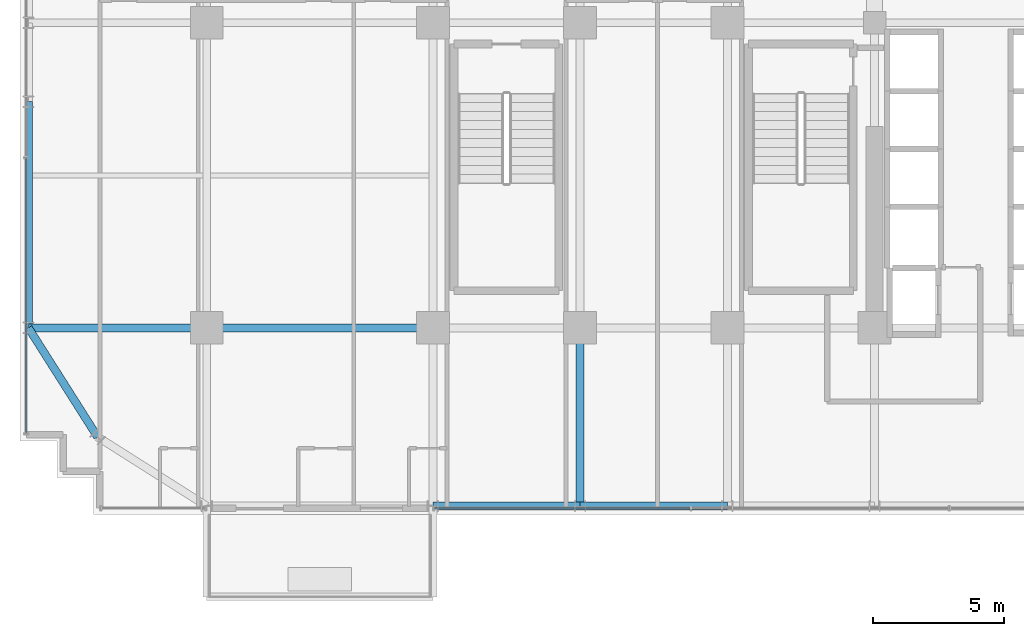
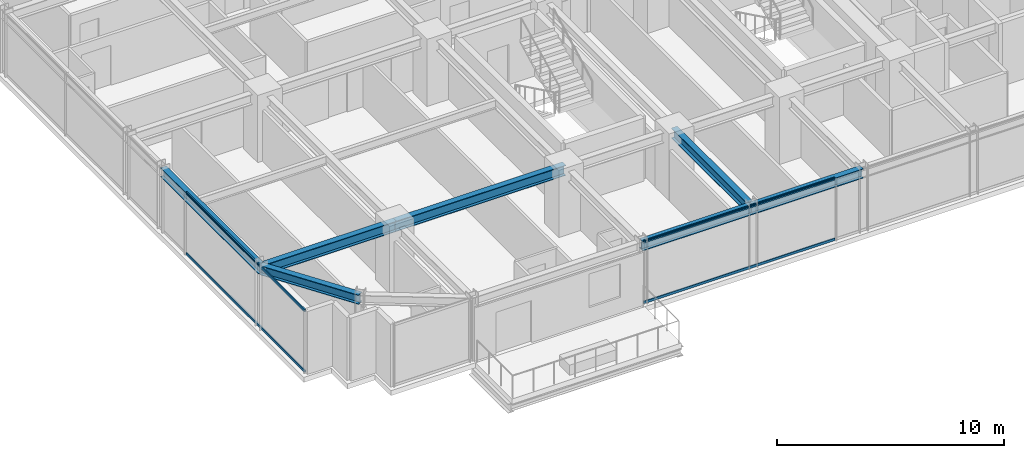
# One storey, part 4 of 32: 7 beams, 4 members, 2 elements without a shape of their own.
"""IFC4 building model written with IfcOpenShell, lengths in metres."""

from ifc_helpers import new_model, si_unit, direction, frame, origin, origin_2d, place, context, subcontext, project, spatial, hollow_rectangle, i_section, extrude, source, transform, mapped, material, material_profile, profile_set, type_object, element, aggregate, save


model = new_model("IFC4")

# Units and contexts
model_context = context("Model", 3, precision=1e-05, world=origin(), true_north=direction((0.0, 1.0)))
body_context = subcontext(model_context, "Body", "Model", "MODEL_VIEW")
ifc_project = project(units=[si_unit("LENGTHUNIT", "METRE"), si_unit("AREAUNIT", "SQUARE_METRE"), si_unit("VOLUMEUNIT", "CUBIC_METRE"), si_unit("PLANEANGLEUNIT", "RADIAN"), si_unit("MASSUNIT", "GRAM", prefix="KILO")], contexts=[model_context])

# Site, building, storey
site_placement = place(None, origin())
site = spatial("IfcSite", under=ifc_project, at=site_placement, CompositionType="ELEMENT")
building_placement = place(site_placement, origin())
building = spatial("IfcBuilding", under=site, at=building_placement, Name="Nahalor Promenade Grand Hotel", CompositionType="ELEMENT")
storey_placement = place(building_placement, frame((0.0, 0.0, 102.89990234375)))
storey = spatial("IfcBuildingStorey", under=building, at=storey_placement, Name="L25", CompositionType="ELEMENT", Elevation=102.89990234375)

# Beams
ifc_material_1 = material(Name="Steel S355JR", Category="steel")
ifc_material_profile_1 = material_profile(ifc_material_1, i_section(OverallWidth=0.3, OverallDepth=0.5, WebThickness=0.0145, FlangeThickness=0.028, at=origin_2d()), Name="HEB 500")
ifc_profile_set_1 = profile_set([ifc_material_profile_1], Name="Steel S355JR")
beam_type_1 = type_object("IfcBeamType", Name="Beam-Spandrel-HEB500", PredefinedType="SPANDREL", material=ifc_profile_set_1)
shared_shape_1 = source(origin(), body_context, "Body", "SweptSolid", [
    extrude(i_section(OverallWidth=0.3, OverallDepth=0.5, WebThickness=0.0145, FlangeThickness=0.028, at=origin_2d()), origin(), (0.0, 0.0, 1.0), 8.60009765625),
])
beam_1_placement = place(storey_placement, frame((-23.780029296875, -17.0, 3.130126953125), z_axis=(0.0, 1.0, 0.0), x_axis=(-1.0, 0.0, 0.0)))
element("IfcBeam", 1, at=beam_1_placement, inside=storey, type_object=beam_type_1, Name="BM-L25-SP-W-0", PredefinedType="SPANDREL", context=body_context, shape_type="MappedRepresentation", body=[
    mapped(shared_shape_1, transform((0.0, 0.0, 0.0), scale=1.0)),
])
shared_shape_2 = source(origin(), body_context, "Body", "SweptSolid", [
    extrude(i_section(OverallWidth=0.3, OverallDepth=0.5, WebThickness=0.0145, FlangeThickness=0.028, at=origin_2d()), origin(), (0.0, 0.0, 1.0), 5.599853515625),
])
beam_2_placement = place(storey_placement, frame((-8.39990234375, -23.780029296875, 3.130126953125), z_axis=(1.0, 0.0, 0.0), x_axis=(0.0, 1.0, 0.0)))
element("IfcBeam", 2, at=beam_2_placement, inside=storey, type_object=beam_type_1, Name="BM-L25-SP-S-1", PredefinedType="SPANDREL", context=body_context, shape_type="MappedRepresentation", body=[
    mapped(shared_shape_2, transform((0.0, 0.0, 0.0), scale=1.0)),
])
shared_shape_3 = source(origin(), body_context, "Body", "SweptSolid", [
    extrude(i_section(OverallWidth=0.3, OverallDepth=0.5, WebThickness=0.0145, FlangeThickness=0.028, at=origin_2d()), origin(), (0.0, 0.0, 1.0), 5.60009765625),
])
beam_3_placement = place(storey_placement, frame((-2.800048828125, -23.780029296875, 3.130126953125), z_axis=(1.0, 0.0, 0.0), x_axis=(0.0, 1.0, 0.0)))
element("IfcBeam", 3, at=beam_3_placement, inside=storey, type_object=beam_type_1, Name="BM-L25-SP-S-2", PredefinedType="SPANDREL", context=body_context, shape_type="MappedRepresentation", body=[
    mapped(shared_shape_3, transform((0.0, 0.0, 0.0), scale=1.0)),
])
shared_shape_4 = source(origin(), body_context, "Body", "SweptSolid", [
    extrude(i_section(OverallWidth=0.3, OverallDepth=0.5, WebThickness=0.0145, FlangeThickness=0.028, at=origin_2d()), origin(), (0.0, 0.0, 1.0), 4.9130859375),
])
beam_4_placement = place(storey_placement, frame((-21.14990234375, -21.14990234375, 3.130126953125), z_axis=(-0.535321591403, 0.844648325505, 0.0), x_axis=(-0.844648325505, -0.535321591403, 0.0)))
element("IfcBeam", 4, at=beam_4_placement, inside=storey, type_object=beam_type_1, Name="BM-L25-SPC-SW-2", PredefinedType="SPANDREL", context=body_context, shape_type="MappedRepresentation", body=[
    mapped(shared_shape_4, transform((0.0, 0.0, 0.0), scale=1.0)),
])
ifc_material_profile_2 = material_profile(ifc_material_1, i_section(OverallWidth=0.3, OverallDepth=0.55, WebThickness=0.015, FlangeThickness=0.029, at=origin_2d()), Name="HEB 550")
ifc_profile_set_2 = profile_set([ifc_material_profile_2], Name="Steel S355JR")
beam_type_2 = type_object("IfcBeamType", Name="Beam-Girder-HEB550", PredefinedType="BEAM", material=ifc_profile_set_2)
shared_shape_5 = source(origin(), body_context, "Body", "SweptSolid", [
    extrude(i_section(OverallWidth=0.3, OverallDepth=0.55, WebThickness=0.015, FlangeThickness=0.029, at=origin_2d()), origin(), (0.0, 0.0, 1.0), 6.780029296875),
])
for number, where, z_axis, x_axis, name in (
    (5, (-23.780029296875, -17.0, 3.10498046875), (1.0, 0.0, 0.0), (0.0, 1.0, 0.0), "BM-L25-GX-0-0"),
    (6, (-2.800048828125, -23.780029296875, 3.10498046875), (0.0, 1.0, 0.0), (-1.0, 0.0, 0.0), "BM-L25-GY-2-0"),
):
    element("IfcBeam", number, at=place(storey_placement, frame(where, z_axis=z_axis, x_axis=x_axis)), inside=storey, type_object=beam_type_2, Name=name, PredefinedType="BEAM", context=body_context, shape_type="MappedRepresentation", body=[
        mapped(shared_shape_5, transform((0.0, 0.0, 0.0), scale=1.0)),
    ])
shared_shape_6 = source(origin(), body_context, "Body", "SweptSolid", [
    extrude(i_section(OverallWidth=0.3, OverallDepth=0.55, WebThickness=0.015, FlangeThickness=0.029, at=origin_2d()), origin(), (0.0, 0.0, 1.0), 8.60009765625),
])
beam_5_placement = place(storey_placement, frame((-17.0, -17.0, 3.10498046875), z_axis=(1.0, 0.0, 0.0), x_axis=(0.0, 1.0, 0.0)))
element("IfcBeam", 7, at=beam_5_placement, inside=storey, type_object=beam_type_2, Name="BM-L25-GX-0-1", PredefinedType="BEAM", context=body_context, shape_type="MappedRepresentation", body=[
    mapped(shared_shape_6, transform((0.0, 0.0, 0.0), scale=1.0)),
])

# Curtain wall, members
ifc_material_2 = material(Name="Anodised Bronze Aluminium EN AW-6063 T6", Category="aluminium")
curtain_wall_type = type_object("IfcCurtainWallType", Name="CW2 Typical Hotel Flush Bronze Unitised Curtain Wall", PredefinedType="USERDEFINED", material=ifc_material_2)
curtain_wall_1_placement = place(storey_placement, origin())
curtain_wall_1 = element("IfcCurtainWall", 8, at=curtain_wall_1_placement, inside=storey, type_object=curtain_wall_type, Name="L25 Curtain Wall CW-L25-S-3", ObjectType="UNITISED_CURTAIN_WALL", PredefinedType="USERDEFINED")
ifc_material_profile_3 = material_profile(ifc_material_2, hollow_rectangle(XDim=0.065, YDim=0.13, WallThickness=0.004, at=origin_2d()), Name="CWT 65x130x4")
ifc_profile_set_3 = profile_set([ifc_material_profile_3], Name="Anodised Bronze Aluminium EN AW-6063 T6")
member_type = type_object("IfcMemberType", Name="CWT2 Typical Bronze Transom 65x130", PredefinedType="USERDEFINED", material=ifc_profile_set_3)
shared_shape_7 = source(origin(), body_context, "Body", "SweptSolid", [
    extrude(hollow_rectangle(XDim=0.065, YDim=0.13, WallThickness=0.004, at=origin_2d()), origin(), (0.0, 0.0, 1.0), 9.722412109375),
])
member_1_placement = place(storey_placement, frame((-8.3349609375, -23.860107421875, 0.065185546875), z_axis=(1.0, 0.0, 0.0), x_axis=(0.0, 1.0, 0.0)))
member_1 = element("IfcMember", 9, at=member_1_placement, type_object=member_type, Name="CW-L25-S-3 Transom 0-0", ObjectType="TRANSOM", PredefinedType="USERDEFINED", context=body_context, shape_type="MappedRepresentation", body=[
    mapped(shared_shape_7, transform((0.0, 0.0, 0.0), scale=1.0)),
])
member_2_placement = place(storey_placement, frame((-8.3349609375, -23.860107421875, 3.315185546875), z_axis=(1.0, 0.0, 0.0), x_axis=(0.0, 1.0, 0.0)))
member_2 = element("IfcMember", 10, at=member_2_placement, type_object=member_type, Name="CW-L25-S-3 Transom 0-1", ObjectType="TRANSOM", PredefinedType="USERDEFINED", context=body_context, shape_type="MappedRepresentation", body=[
    mapped(shared_shape_7, transform((0.0, 0.0, 0.0), scale=1.0)),
])
aggregate(curtain_wall_1, [member_1, member_2])

curtain_wall_2_placement = place(storey_placement, origin())
curtain_wall_2 = element("IfcCurtainWall", 11, at=curtain_wall_2_placement, inside=storey, type_object=curtain_wall_type, Name="L25 Curtain Wall CW-L25-W-1", ObjectType="UNITISED_CURTAIN_WALL", PredefinedType="USERDEFINED")
shared_shape_8 = source(origin(), body_context, "Body", "SweptSolid", [
    extrude(hollow_rectangle(XDim=0.065, YDim=0.13, WallThickness=0.004, at=origin_2d()), origin(), (0.0, 0.0, 1.0), 10.4326171875),
])
member_3_placement = place(storey_placement, frame((-23.860107421875, -20.9951171875, 0.065185546875), z_axis=(0.0, 1.0, 0.0), x_axis=(-1.0, 0.0, 0.0)))
member_3 = element("IfcMember", 12, at=member_3_placement, type_object=member_type, Name="CW-L25-W-1 Transom 0-0", ObjectType="TRANSOM", PredefinedType="USERDEFINED", context=body_context, shape_type="MappedRepresentation", body=[
    mapped(shared_shape_8, transform((0.0, 0.0, 0.0), scale=1.0)),
])
member_4_placement = place(storey_placement, frame((-23.860107421875, -20.9951171875, 3.315185546875), z_axis=(0.0, 1.0, 0.0), x_axis=(-1.0, 0.0, 0.0)))
member_4 = element("IfcMember", 13, at=member_4_placement, type_object=member_type, Name="CW-L25-W-1 Transom 0-1", ObjectType="TRANSOM", PredefinedType="USERDEFINED", context=body_context, shape_type="MappedRepresentation", body=[
    mapped(shared_shape_8, transform((0.0, 0.0, 0.0), scale=1.0)),
])
aggregate(curtain_wall_2, [member_3, member_4])

save(model, "model.ifc")
